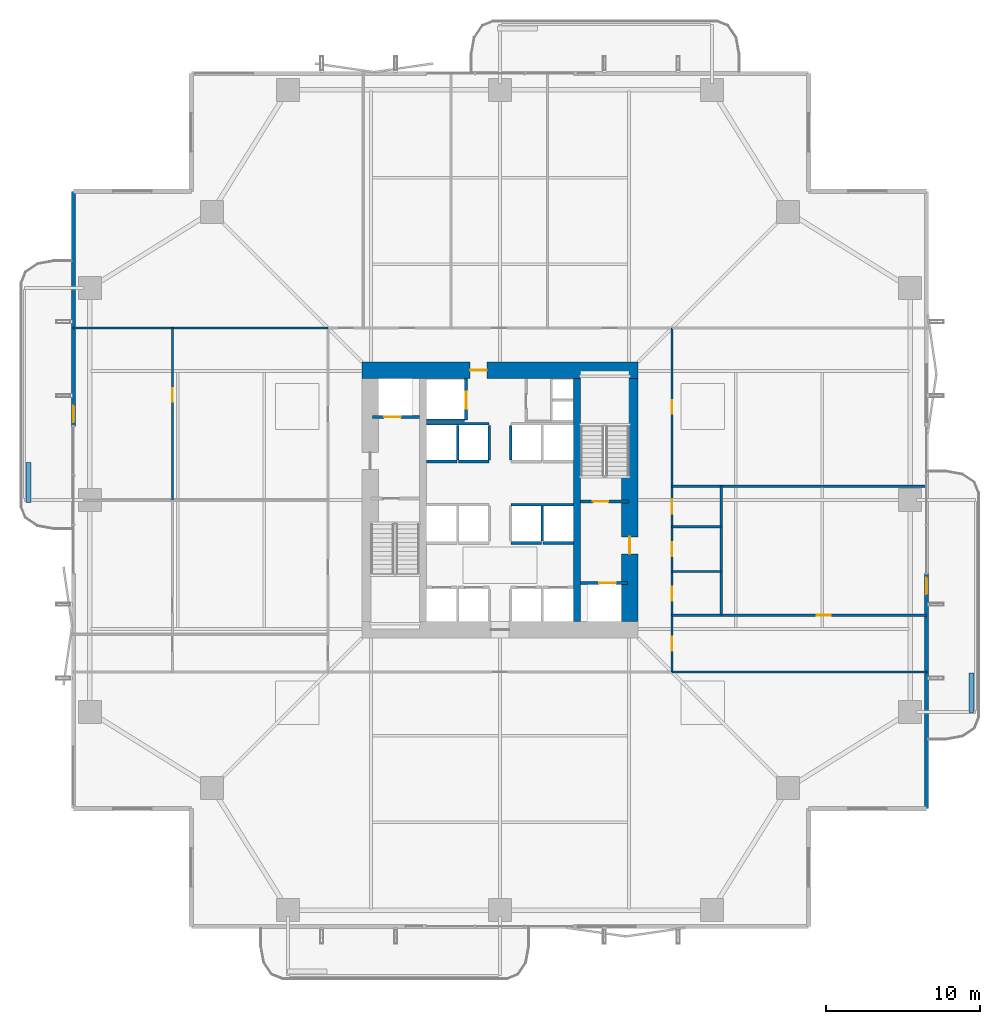
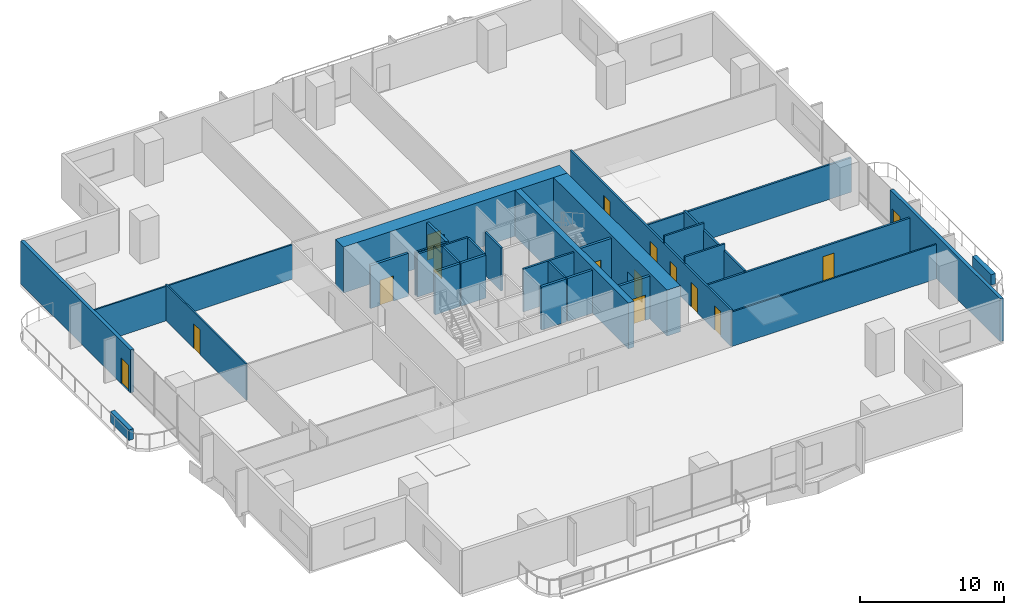
# One storey, part 18 of 23: 31 walls, 15 doors, 15 openings.
"""IFC4 building model written with IfcOpenShell, lengths in metres."""

import ifcopenshell
import ifcopenshell.guid

model = None  # the IFC model being written
_history = None  # IfcOwnerHistory: only IFC2X3 demands one
_inside = {}  # id of a spatial element -> (the spatial element, [elements in it])
_under = {}  # id of a project, library or spatial element -> (it, [spatial elements below it])
_declared = {}  # id of a project -> (the project, [libraries it declares])
_typed = {}  # id of a type object -> (the type object, [elements of that type])
_made_of = {}  # id of a material, layer set ... -> (it, [elements and type objects made of it])


def new_model(schema):
    """Start an empty IFC model of exactly this schema.

    Asked for "IFC4X3", IfcOpenShell would pick the latest addendum, in which some entities
    have other attributes; the version numbers below select the first issue.
    IFC2X3 requires an IfcOwnerHistory on every rooted entity: one is made here for all.
    """
    global model, _history
    if schema == "IFC4X3":
        model = ifcopenshell.file(schema_version=(4, 3, 0, 0))
    else:
        model = ifcopenshell.file(schema=schema)
    _inside.clear()
    _under.clear()
    _declared.clear()
    _typed.clear()
    _made_of.clear()
    _history = None
    if model.schema == "IFC2X3":
        org = make("IfcOrganization", Name="unknown")
        user = make(
            "IfcPersonAndOrganization",
            ThePerson=make("IfcPerson", FamilyName="unknown"),
            TheOrganization=org,
        )
        app = make(
            "IfcApplication",
            ApplicationDeveloper=org,
            Version="unknown",
            ApplicationFullName="unknown",
            ApplicationIdentifier="unknown",
        )
        _history = make(
            "IfcOwnerHistory",
            OwningUser=user,
            OwningApplication=app,
            ChangeAction="ADDED",
            CreationDate=0,
        )
    return model


def make(cls, **values):
    """One entity of the class cls with the attributes given. An attribute that is None is left unset."""
    return model.create_entity(
        cls, **{name: value for name, value in values.items() if value is not None}
    )


def rooted(cls, **values):
    """An entity with a GlobalId (a new one), such as an element, a storey or a relation."""
    return make(cls, GlobalId=ifcopenshell.guid.new(), OwnerHistory=_history, **values)


def si_unit(unit_type, name, prefix=None):
    """IfcSIUnit, for example si_unit("LENGTHUNIT", "METRE", prefix="MILLI")."""
    return make("IfcSIUnit", UnitType=unit_type, Prefix=prefix, Name=name)


def assignment(units):
    """IfcUnitAssignment: the units of a project."""
    return None if units is None else make("IfcUnitAssignment", Units=units)


def point(xyz):
    """IfcCartesianPoint."""
    return None if xyz is None else make("IfcCartesianPoint", Coordinates=xyz)


def direction(xyz):
    """IfcDirection."""
    return None if xyz is None else make("IfcDirection", DirectionRatios=xyz)


def frame(location, z_axis=None, x_axis=None):
    """IfcAxis2Placement3D, a coordinate frame: its origin and axes. An axis left out is left unset."""
    return make(
        "IfcAxis2Placement3D",
        Location=point(location),
        Axis=direction(z_axis),
        RefDirection=direction(x_axis),
    )


def frame_2d(location, x_axis=None):
    """IfcAxis2Placement2D, a coordinate frame in the plane: its origin and x axis."""
    return make(
        "IfcAxis2Placement2D", Location=point(location), RefDirection=direction(x_axis)
    )


def origin():
    """The frame at (0, 0, 0) with its axes left unset."""
    return frame((0.0, 0.0, 0.0))


def place(relative_to, where):
    """IfcLocalPlacement: puts the frame where relative to a parent placement (None: the world)."""
    return make(
        "IfcLocalPlacement", PlacementRelTo=relative_to, RelativePlacement=where
    )


def context(
    kind, dimensions, precision=None, world=None, true_north=None, identifier=None
):
    """IfcGeometricRepresentationContext, for example the 3D "Model" context."""
    return make(
        "IfcGeometricRepresentationContext",
        ContextIdentifier=identifier,
        ContextType=kind,
        CoordinateSpaceDimension=dimensions,
        Precision=precision,
        WorldCoordinateSystem=world,
        TrueNorth=true_north,
    )


def subcontext(parent, identifier, kind, view, scale=None):
    """IfcGeometricRepresentationSubContext, for example "Body" below "Model"."""
    return make(
        "IfcGeometricRepresentationSubContext",
        ContextIdentifier=identifier,
        ContextType=kind,
        ParentContext=parent,
        TargetScale=scale,
        TargetView=view,
    )


def project(units=None, contexts=None):
    """IfcProject with its units and contexts."""
    return rooted(
        "IfcProject",
        Name="project",
        RepresentationContexts=contexts,
        UnitsInContext=assignment(units),
    )


def spatial(cls, under=None, at=None, **own):
    """A site, building, storey or space (cls), placed at a placement, below another one or the project."""
    s = rooted(cls, ObjectPlacement=at, **own)
    if under is not None:
        _under.setdefault(under.id(), (under, []))[1].append(s)
    return s


def profile(cls, at=None, kind="AREA", **sizes):
    """A parametric profile (cls). Its sizes go by their IFC names, for example OverallWidth=200.0."""
    return make(cls, ProfileType=kind, Position=at, **sizes)


def rectangle(**sizes):
    """IfcRectangleProfileDef."""
    return profile("IfcRectangleProfileDef", **sizes)


def extrude(swept, where, along, depth):
    """IfcExtrudedAreaSolid: the profile swept, set in the frame where, extruded along a direction by depth."""
    return make(
        "IfcExtrudedAreaSolid",
        SweptArea=swept,
        Position=where,
        ExtrudedDirection=direction(along),
        Depth=depth,
    )


def shape(context_of_items, identifier, shape_type, items):
    """IfcShapeRepresentation: the items that make up one representation, for example the "Body"."""
    return make(
        "IfcShapeRepresentation",
        ContextOfItems=context_of_items,
        RepresentationIdentifier=identifier,
        RepresentationType=shape_type,
        Items=items,
    )


def material(Name=None, Category=None):
    """IfcMaterial."""
    return make("IfcMaterial", Name=Name, Category=Category)


def layer(
    of_material, thickness, ventilated=None, Name=None, Category=None, Priority=None
):
    """IfcMaterialLayer: one layer of a wall or slab, of a material (None: an air gap)."""
    return make(
        "IfcMaterialLayer",
        Material=of_material,
        LayerThickness=thickness,
        IsVentilated=ventilated,
        Name=Name,
        Category=Category,
        Priority=Priority,
    )


def layer_set(layers, Name=None):
    """IfcMaterialLayerSet."""
    return make("IfcMaterialLayerSet", MaterialLayers=layers, LayerSetName=Name)


def made_of(thing, what):
    """Note that an element or type object is made of a material, layer set ...; save() writes the relation."""
    if what is not None:
        _made_of.setdefault(what.id(), (what, []))[1].append(thing)
    return thing


def type_object(cls, material=None, **own):
    """A type object (cls), such as IfcWallType, which elements share."""
    return made_of(rooted(cls, **own), material)


def element(
    cls,
    number,
    at=None,
    inside=None,
    cuts=None,
    type_object=None,
    material=None,
    context=None,
    identifier="Body",
    shape_type=None,
    held_by="IfcProductDefinitionShape",
    body=None,
    shapes=None,
    **own,
):
    """One element of the class cls, such as IfcWall. Its Tag is "e" and its number.

    at: its placement. inside: the storey or other place that contains it. cuts: it is an
    opening in that element (IfcRelVoidsElement). A single representation is given by context,
    identifier, shape_type and body (its items); several are given by shapes. held_by: the class
    of the entity that holds the representations. save() writes the other relations.
    """
    e = rooted(cls, Tag="e%d" % number, ObjectPlacement=at, **own)
    if body is not None:
        shapes = [shape(context, identifier, shape_type, body)]
    if shapes is not None:
        e.Representation = make(held_by, Representations=shapes)
    if inside is not None:
        _inside.setdefault(inside.id(), (inside, []))[1].append(e)
    if cuts is not None:
        rooted(
            "IfcRelVoidsElement", RelatingBuildingElement=cuts, RelatedOpeningElement=e
        )
    if type_object is not None:
        _typed.setdefault(type_object.id(), (type_object, []))[1].append(e)
    return made_of(e, material)


def fill(opening, filler):
    """IfcRelFillsElement: the door or window that sits in an opening."""
    return rooted(
        "IfcRelFillsElement",
        RelatingOpeningElement=opening,
        RelatedBuildingElement=filler,
    )


def aggregate(whole, parts):
    """IfcRelAggregates: a whole, such as a stair, and the parts it consists of."""
    return rooted("IfcRelAggregates", RelatingObject=whole, RelatedObjects=parts)


def save(model, path):
    """Write the relations noted so far, then the file.

    IfcRelAggregates (storeys below a building ...), IfcRelContainedInSpatialStructure (elements
    in a storey), IfcRelDefinesByType, IfcRelAssociatesMaterial and IfcRelDeclares: one each for
    every whole, place, type object, material and project.
    """
    for whole, parts in _under.values():
        aggregate(whole, parts)
    for where, things in _inside.values():
        rooted(
            "IfcRelContainedInSpatialStructure",
            RelatedElements=things,
            RelatingStructure=where,
        )
    for kind, things in _typed.values():
        rooted("IfcRelDefinesByType", RelatedObjects=things, RelatingType=kind)
    for what, things in _made_of.values():
        rooted("IfcRelAssociatesMaterial", RelatedObjects=things, RelatingMaterial=what)
    for by, libraries in _declared.values():
        rooted("IfcRelDeclares", RelatingContext=by, RelatedDefinitions=libraries)
    model.write(path)


model = new_model("IFC4")

# Units and contexts
model_context = context("Model", 3, precision=1e-05, world=origin(), true_north=direction((0.0, 1.0)))
body_context = subcontext(model_context, "Body", "Model", "MODEL_VIEW")
ifc_project = project(units=[si_unit("LENGTHUNIT", "METRE"), si_unit("AREAUNIT", "SQUARE_METRE"), si_unit("VOLUMEUNIT", "CUBIC_METRE"), si_unit("PLANEANGLEUNIT", "RADIAN"), si_unit("MASSUNIT", "GRAM", prefix="KILO")], contexts=[model_context])

# Site, building, storey
site_placement = place(None, origin())
site = spatial("IfcSite", under=ifc_project, at=site_placement, CompositionType="ELEMENT")
building_placement = place(site_placement, origin())
building = spatial("IfcBuilding", under=site, at=building_placement, Name="Belovzor Exchange Tower", CompositionType="ELEMENT")
storey_placement = place(building_placement, frame((0.0, 0.0, 100.199951171875)))
storey = spatial("IfcBuildingStorey", under=building, at=storey_placement, Name="L24", CompositionType="ELEMENT", Elevation=100.199951171875)

# Walls
ifc_material_1 = material(Name="Acoustic Plasterboard on Galvanised Studs", Category="gypsum")
ifc_layer_1 = layer(ifc_material_1, 0.1201171875)
ifc_layer_set_1 = layer_set([ifc_layer_1], Name="Acoustic Plasterboard on Galvanised Studs")
wall_type_1 = type_object("IfcWallType", Name="Acoustic Double-Stud Partition Wall 120", PredefinedType="PARTITIONING", material=ifc_layer_set_1)
for number, where, z_axis, x_axis, name in (
    (1, (40.0, 17.60009765625, 0.0), (0.0, 0.0, 1.0), (1.0, 0.0, 0.0), "W-P120 Partition Wall W-L24-END-SE"),
    (2, (1.030029296875, 40.0, 0.0), (0.0, 0.0, 1.0), (1.0, 0.0, 0.0), "W-P120 Partition Wall W-L24-END-NW"),
):
    element("IfcWall", number, at=place(storey_placement, frame(where, z_axis=z_axis, x_axis=x_axis)), inside=storey, type_object=wall_type_1, Name=name, PredefinedType="PARTITIONING", context=body_context, shape_type="SweptSolid", body=[
        extrude(rectangle(XDim=16.570068359375, YDim=0.1201171875, at=frame_2d((8.28515625, 0.0))), origin(), (0.0, 0.0, 1.0), 2.93505859375),
    ])

# Wall, opening, door
wall_1_placement = place(storey_placement, frame((7.47607421875, 28.787109375, 0.0), z_axis=(0.0, 0.0, 1.0), x_axis=(0.0, 1.0, 0.0)))
wall_1 = element("IfcWall", 3, at=wall_1_placement, inside=storey, type_object=wall_type_1, Name="W-P120 Partition Wall W-L24-WHDIV-2", PredefinedType="PARTITIONING", context=body_context, shape_type="SweptSolid", body=[
    extrude(rectangle(XDim=11.212890625, YDim=0.1201171875, at=frame_2d((5.6064453125, 0.0))), origin(), (0.0, 0.0, 1.0), 3.0849609375),
])
opening_1_placement = place(wall_1_placement, frame((6.39599609375, 0.0, 0.0)))
opening_1 = element("IfcOpeningElement", 4, at=opening_1_placement, cuts=wall_1, Name="Opening D-INT-090", PredefinedType="OPENING", context=body_context, shape_type="SweptSolid", body=[
    extrude(rectangle(XDim=0.89990234375, YDim=2.10009765625, at=frame_2d((0.449951171875, 1.050048828125))), frame((0.0, 0.070068359375, 0.0), z_axis=(0.0, -1.0, 0.0), x_axis=(1.0, 0.0, 0.0)), (0.0, 0.0, 1.0), 0.14013671875),
])
ifc_material_2 = material(Name="Veneered Hardwood Acoustic Leaf", Category="wood")
door_type_1 = type_object("IfcDoorType", Name="Trading Suite Acoustic Single Door 900x2100", OperationType="NOTDEFINED", PredefinedType="DOOR", material=ifc_material_2)
door_1_placement = place(opening_1_placement, origin())
door_1 = element("IfcDoor", 5, at=door_1_placement, inside=storey, type_object=door_type_1, Name="D-INT-090 Trading Suite Acoustic Single Door 900x2100", OperationType="SINGLE_SWING_LEFT", OverallHeight=2.10009765625, OverallWidth=0.89990234375, PredefinedType="DOOR", context=body_context, shape_type="SweptSolid", body=[
    extrude(rectangle(XDim=0.89990234375, YDim=2.10009765625, at=frame_2d((0.449951171875, 1.050048828125))), frame((0.0, 0.02490234375, 0.0), z_axis=(0.0, -1.0, 0.0), x_axis=(1.0, 0.0, 0.0)), (0.0, 0.0, 1.0), 0.050048828125),
])
fill(opening_1, door_1)

# Wall
ifc_material_3 = material(Name="Fire-Rated Gypsum Block and Mineral Wool", Category="gypsum")
ifc_layer_2 = layer(ifc_material_3, 0.14990234375)
ifc_layer_set_2 = layer_set([ifc_layer_2], Name="Fire-Rated Gypsum Block and Mineral Wool")
wall_type_2 = type_object("IfcWallType", Name="Fire-Rated Gypsum Block Corridor Wall 150", PredefinedType="PARTITIONING", material=ifc_layer_set_2)
wall_2_placement = place(storey_placement, frame((43.199951171875, 21.300048828125, 0.0), z_axis=(0.0, 0.0, 1.0), x_axis=(0.0, 1.0, 0.0)))
element("IfcWall", 6, at=wall_2_placement, inside=storey, type_object=wall_type_2, Name="W-P150 Partition Wall W-L24-WCE", PredefinedType="PARTITIONING", context=body_context, shape_type="SweptSolid", body=[
    extrude(rectangle(XDim=8.39990234375, YDim=0.14990234375, at=frame_2d((4.199951171875, 0.0))), origin(), (0.0, 0.0, 1.0), 3.0849609375),
])

# Wall, opening, door
wall_3_placement = place(storey_placement, frame((40.0, 21.300048828125, 0.0), z_axis=(0.0, 0.0, 1.0), x_axis=(1.0, 0.0, 0.0)))
wall_3 = element("IfcWall", 7, at=wall_3_placement, inside=storey, type_object=wall_type_2, Name="W-P150 Partition Wall W-L24-WCS", PredefinedType="PARTITIONING", context=body_context, shape_type="SweptSolid", body=[
    extrude(rectangle(XDim=16.570068359375, YDim=0.14990234375, at=frame_2d((8.28515625, 0.0))), origin(), (0.0, 0.0, 1.0), 2.93505859375),
])
opening_2_placement = place(wall_3_placement, frame((9.43505859375, 0.0, 0.0)))
opening_2 = element("IfcOpeningElement", 8, at=opening_2_placement, cuts=wall_3, Name="Opening D-INT-090", PredefinedType="OPENING", context=body_context, shape_type="SweptSolid", body=[
    extrude(rectangle(XDim=0.89990234375, YDim=2.10009765625, at=frame_2d((0.449951171875, 1.050048828125))), frame((0.0, 0.0849609375, 0.0), z_axis=(0.0, -1.0, 0.0), x_axis=(1.0, 0.0, 0.0)), (0.0, 0.0, 1.0), 0.169921875),
])
door_2_placement = place(opening_2_placement, origin())
door_2 = element("IfcDoor", 9, at=door_2_placement, inside=storey, type_object=door_type_1, Name="D-INT-090 Trading Suite Acoustic Single Door 900x2100", OperationType="SINGLE_SWING_LEFT", OverallHeight=2.10009765625, OverallWidth=0.89990234375, PredefinedType="DOOR", context=body_context, shape_type="SweptSolid", body=[
    extrude(rectangle(XDim=0.89990234375, YDim=2.10009765625, at=frame_2d((0.449951171875, 1.050048828125))), frame((0.0, 0.02490234375, 0.0), z_axis=(0.0, -1.0, 0.0), x_axis=(1.0, 0.0, 0.0)), (0.0, 0.0, 1.0), 0.050048828125),
])
fill(opening_2, door_2)

# Walls
wall_4_placement = place(storey_placement, frame((40.0, 29.699951171875, 0.0), z_axis=(0.0, 0.0, 1.0), x_axis=(1.0, 0.0, 0.0)))
element("IfcWall", 10, at=wall_4_placement, inside=storey, type_object=wall_type_2, Name="W-P150 Partition Wall W-L24-WCN", PredefinedType="PARTITIONING", context=body_context, shape_type="SweptSolid", body=[
    extrude(rectangle(XDim=16.570068359375, YDim=0.14990234375, at=frame_2d((8.28515625, 0.0))), origin(), (0.0, 0.0, 1.0), 2.93505859375),
])
for number, where, z_axis, x_axis, name in (
    (11, (40.0, 24.14990234375, 0.0), (0.0, 0.0, 1.0), (1.0, 0.0, 0.0), "W-P150 Partition Wall W-L24-WCD1"),
    (12, (40.0, 27.050048828125, 0.0), (0.0, 0.0, 1.0), (1.0, 0.0, 0.0), "W-P150 Partition Wall W-L24-WCD2"),
):
    element("IfcWall", number, at=place(storey_placement, frame(where, z_axis=z_axis, x_axis=x_axis)), inside=storey, type_object=wall_type_2, Name=name, PredefinedType="PARTITIONING", context=body_context, shape_type="SweptSolid", body=[
        extrude(rectangle(XDim=3.199951171875, YDim=0.14990234375, at=frame_2d((1.60009765625, 0.0))), origin(), (0.0, 0.0, 1.0), 3.650146484375),
    ])

# Wall, openings, doors
wall_5_placement = place(storey_placement, frame((40.0, 17.60009765625, 0.0), z_axis=(0.0, 0.0, 1.0), x_axis=(0.0, 1.0, 0.0)))
wall_5 = element("IfcWall", 13, at=wall_5_placement, inside=storey, type_object=wall_type_2, Name="W-P150 Partition Wall W-L24-CE", PredefinedType="PARTITIONING", context=body_context, shape_type="SweptSolid", body=[
    extrude(rectangle(XDim=22.39990234375, YDim=0.14990234375, at=frame_2d((11.199951171875, 0.0))), origin(), (0.0, 0.0, 1.0), 3.0849609375),
])
opening_3_placement = place(wall_5_placement, frame((1.39990234375, 0.0, 0.0)))
opening_3 = element("IfcOpeningElement", 14, at=opening_3_placement, cuts=wall_5, Name="Opening D-INT-090", PredefinedType="OPENING", context=body_context, shape_type="SweptSolid", body=[
    extrude(rectangle(XDim=0.89990234375, YDim=2.10009765625, at=frame_2d((0.449951171875, 1.050048828125))), frame((0.0, 0.0849609375, 0.0), z_axis=(0.0, -1.0, 0.0), x_axis=(1.0, 0.0, 0.0)), (0.0, 0.0, 1.0), 0.169921875),
])
opening_4_placement = place(wall_5_placement, frame((4.64990234375, 0.0, 0.0)))
opening_4 = element("IfcOpeningElement", 15, at=opening_4_placement, cuts=wall_5, Name="Opening D-FD60-090", PredefinedType="OPENING", context=body_context, shape_type="SweptSolid", body=[
    extrude(rectangle(XDim=0.89990234375, YDim=2.10009765625, at=frame_2d((0.449951171875, 1.050048828125))), frame((0.0, 0.0849609375, 0.0), z_axis=(0.0, -1.0, 0.0), x_axis=(1.0, 0.0, 0.0)), (0.0, 0.0, 1.0), 0.169921875),
])
opening_5_placement = place(wall_5_placement, frame((7.550048828125, 0.0, 0.0)))
opening_5 = element("IfcOpeningElement", 16, at=opening_5_placement, cuts=wall_5, Name="Opening D-FD60-090", PredefinedType="OPENING", context=body_context, shape_type="SweptSolid", body=[
    extrude(rectangle(XDim=0.89990234375, YDim=2.10009765625, at=frame_2d((0.449951171875, 1.050048828125))), frame((0.0, 0.0849609375, 0.0), z_axis=(0.0, -1.0, 0.0), x_axis=(1.0, 0.0, 0.0)), (0.0, 0.0, 1.0), 0.169921875),
])
opening_6_placement = place(wall_5_placement, frame((10.300048828125, 0.0, 0.0)))
opening_6 = element("IfcOpeningElement", 17, at=opening_6_placement, cuts=wall_5, Name="Opening D-FD60-095", PredefinedType="OPENING", context=body_context, shape_type="SweptSolid", body=[
    extrude(rectangle(XDim=0.949951171875, YDim=2.10009765625, at=frame_2d((0.47509765625, 1.050048828125))), frame((0.0, 0.0849609375, 0.0), z_axis=(0.0, -1.0, 0.0), x_axis=(1.0, 0.0, 0.0)), (0.0, 0.0, 1.0), 0.169921875),
])
opening_7_placement = place(wall_5_placement, frame((16.800048828125, 0.0, 0.0)))
opening_7 = element("IfcOpeningElement", 18, at=opening_7_placement, cuts=wall_5, Name="Opening D-INT-090", PredefinedType="OPENING", context=body_context, shape_type="SweptSolid", body=[
    extrude(rectangle(XDim=0.89990234375, YDim=2.10009765625, at=frame_2d((0.449951171875, 1.050048828125))), frame((0.0, 0.0849609375, 0.0), z_axis=(0.0, -1.0, 0.0), x_axis=(1.0, 0.0, 0.0)), (0.0, 0.0, 1.0), 0.169921875),
])
ifc_material_4 = material(Name="Moisture-Resistant Timber Fire Leaf", Category="wood")
door_type_2 = type_object("IfcDoorType", Name="Accessible Restroom Wide Fire Door 950x2100", OperationType="NOTDEFINED", PredefinedType="DOOR", material=ifc_material_4)
door_3_placement = place(opening_6_placement, origin())
door_3 = element("IfcDoor", 19, at=door_3_placement, inside=storey, type_object=door_type_2, Name="D-FD60-095 Accessible Restroom Wide Fire Door 950x2100", OperationType="SINGLE_SWING_LEFT", OverallHeight=2.10009765625, OverallWidth=0.949951171875, PredefinedType="DOOR", context=body_context, shape_type="SweptSolid", body=[
    extrude(rectangle(XDim=0.949951171875, YDim=2.10009765625, at=frame_2d((0.47509765625, 1.050048828125))), frame((0.0, 0.02490234375, 0.0), z_axis=(0.0, -1.0, 0.0), x_axis=(1.0, 0.0, 0.0)), (0.0, 0.0, 1.0), 0.050048828125),
])
fill(opening_6, door_3)
ifc_material_5 = material(Name="Acoustic Timber Fire Leaf", Category="wood")
door_type_3 = type_object("IfcDoorType", Name="Core Service & Restroom Fire Door 900x2100", OperationType="NOTDEFINED", PredefinedType="DOOR", material=ifc_material_5)
door_4_placement = place(opening_4_placement, origin())
door_4 = element("IfcDoor", 20, at=door_4_placement, inside=storey, type_object=door_type_3, Name="D-FD60-090 Core Service & Restroom Fire Door 900x2100", OperationType="SINGLE_SWING_LEFT", OverallHeight=2.10009765625, OverallWidth=0.89990234375, PredefinedType="DOOR", context=body_context, shape_type="SweptSolid", body=[
    extrude(rectangle(XDim=0.89990234375, YDim=2.10009765625, at=frame_2d((0.449951171875, 1.050048828125))), frame((0.0, 0.02490234375, 0.0), z_axis=(0.0, -1.0, 0.0), x_axis=(1.0, 0.0, 0.0)), (0.0, 0.0, 1.0), 0.050048828125),
])
fill(opening_4, door_4)
door_5_placement = place(opening_5_placement, origin())
door_5 = element("IfcDoor", 21, at=door_5_placement, inside=storey, type_object=door_type_3, Name="D-FD60-090 Core Service & Restroom Fire Door 900x2100", OperationType="SINGLE_SWING_RIGHT", OverallHeight=2.10009765625, OverallWidth=0.89990234375, PredefinedType="DOOR", context=body_context, shape_type="SweptSolid", body=[
    extrude(rectangle(XDim=0.89990234375, YDim=2.10009765625, at=frame_2d((0.449951171875, 1.050048828125))), frame((0.0, 0.02490234375, 0.0), z_axis=(0.0, -1.0, 0.0), x_axis=(1.0, 0.0, 0.0)), (0.0, 0.0, 1.0), 0.050048828125),
])
fill(opening_5, door_5)
door_6_placement = place(opening_3_placement, origin())
door_6 = element("IfcDoor", 22, at=door_6_placement, inside=storey, type_object=door_type_1, Name="D-INT-090 Trading Suite Acoustic Single Door 900x2100", OperationType="SINGLE_SWING_LEFT", OverallHeight=2.10009765625, OverallWidth=0.89990234375, PredefinedType="DOOR", context=body_context, shape_type="SweptSolid", body=[
    extrude(rectangle(XDim=0.89990234375, YDim=2.10009765625, at=frame_2d((0.449951171875, 1.050048828125))), frame((0.0, 0.02490234375, 0.0), z_axis=(0.0, -1.0, 0.0), x_axis=(1.0, 0.0, 0.0)), (0.0, 0.0, 1.0), 0.050048828125),
])
fill(opening_3, door_6)
door_7_placement = place(opening_7_placement, origin())
door_7 = element("IfcDoor", 23, at=door_7_placement, inside=storey, type_object=door_type_1, Name="D-INT-090 Trading Suite Acoustic Single Door 900x2100", OperationType="SINGLE_SWING_RIGHT", OverallHeight=2.10009765625, OverallWidth=0.89990234375, PredefinedType="DOOR", context=body_context, shape_type="SweptSolid", body=[
    extrude(rectangle(XDim=0.89990234375, YDim=2.10009765625, at=frame_2d((0.449951171875, 1.050048828125))), frame((0.0, 0.02490234375, 0.0), z_axis=(0.0, -1.0, 0.0), x_axis=(1.0, 0.0, 0.0)), (0.0, 0.0, 1.0), 0.050048828125),
])
fill(opening_7, door_7)

# Wall, opening, door
ifc_material_6 = material(Name="Precast concrete C40/50", Category="concrete")
ifc_layer_3 = layer(ifc_material_6, 0.260009765625)
ifc_layer_set_3 = layer_set([ifc_layer_3], Name="Precast concrete C40/50")
wall_type_3 = type_object("IfcWallType", Name="Precast Concrete Perimeter Loggia Frame Wall 260", PredefinedType="SOLIDWALL", material=ifc_layer_set_3)
wall_6_placement = place(storey_placement, frame((1.030029296875, 33.60009765625, 0.0), z_axis=(0.0, 0.0, 1.0), x_axis=(0.0, 1.0, 0.0)))
wall_6 = element("IfcWall", 24, at=wall_6_placement, inside=storey, type_object=wall_type_3, Name="W-EXT260 Precast Concrete Perimeter Loggia Frame Wall 260 L24", PredefinedType="SOLIDWALL", context=body_context, shape_type="SweptSolid", body=[
    extrude(rectangle(XDim=15.2998046875, YDim=0.260009765625, at=frame_2d((7.64990234375, 0.0))), origin(), (0.0, 0.0, 1.0), 3.650146484375),
])
opening_8_placement = place(wall_6_placement, frame((0.25, 0.0, 0.0)))
opening_8 = element("IfcOpeningElement", 25, at=opening_8_placement, cuts=wall_6, Name="Opening D-BAL110", PredefinedType="OPENING", context=body_context, shape_type="SweptSolid", body=[
    extrude(rectangle(XDim=1.10009765625, YDim=2.199951171875, at=frame_2d((0.550048828125, 1.10009765625))), frame((0.0, 0.139892578125, 0.0), z_axis=(0.0, -1.0, 0.0), x_axis=(1.0, 0.0, 0.0)), (0.0, 0.0, 1.0), 0.280029296875),
])
ifc_material_7 = material(Name="Thermally Broken Anodised Aluminium and Laminated Glass", Category="aluminium")
door_type_4 = type_object("IfcDoorType", Name="Planted Loggia Terrace Glazed Door 1100x2200", OperationType="SINGLE_SWING_LEFT", PredefinedType="DOOR", material=ifc_material_7)
door_8_placement = place(opening_8_placement, origin())
door_8 = element("IfcDoor", 26, at=door_8_placement, inside=storey, type_object=door_type_4, Name="D-BAL110 Balcony Terrace Door L24 W", OperationType="SINGLE_SWING_RIGHT", OverallHeight=2.199951171875, OverallWidth=1.10009765625, PredefinedType="DOOR", context=body_context, shape_type="SweptSolid", body=[
    extrude(rectangle(XDim=1.10009765625, YDim=2.199951171875, at=frame_2d((0.550048828125, 1.10009765625))), frame((0.0, 0.02490234375, 0.0), z_axis=(0.0, -1.0, 0.0), x_axis=(1.0, 0.0, 0.0)), (0.0, 0.0, 1.0), 0.050048828125),
])
fill(opening_8, door_8)

wall_7_placement = place(storey_placement, frame((56.570068359375, 24.0, 0.0), z_axis=(0.0, 0.0, 1.0), x_axis=(0.0, -1.0, 0.0)))
wall_7 = element("IfcWall", 27, at=wall_7_placement, inside=storey, type_object=wall_type_3, Name="W-EXT260 Precast Concrete Perimeter Loggia Frame Wall 260 L24", PredefinedType="SOLIDWALL", context=body_context, shape_type="SweptSolid", body=[
    extrude(rectangle(XDim=15.300048828125, YDim=0.260009765625, at=frame_2d((7.64990234375, 0.0))), origin(), (0.0, 0.0, 1.0), 3.650146484375),
])
opening_9_placement = place(wall_7_placement, frame((0.25, 0.0, 0.0)))
opening_9 = element("IfcOpeningElement", 28, at=opening_9_placement, cuts=wall_7, Name="Opening D-BAL110", PredefinedType="OPENING", context=body_context, shape_type="SweptSolid", body=[
    extrude(rectangle(XDim=1.10009765625, YDim=2.199951171875, at=frame_2d((0.550048828125, 1.10009765625))), frame((0.0, 0.139892578125, 0.0), z_axis=(0.0, -1.0, 0.0), x_axis=(1.0, 0.0, 0.0)), (0.0, 0.0, 1.0), 0.280029296875),
])
door_9_placement = place(opening_9_placement, origin())
door_9 = element("IfcDoor", 29, at=door_9_placement, inside=storey, type_object=door_type_4, Name="D-BAL110 Balcony Terrace Door L24 E", OperationType="SINGLE_SWING_LEFT", OverallHeight=2.199951171875, OverallWidth=1.10009765625, PredefinedType="DOOR", context=body_context, shape_type="SweptSolid", body=[
    extrude(rectangle(XDim=1.10009765625, YDim=2.199951171875, at=frame_2d((0.550048828125, 1.10009765625))), frame((0.0, 0.02490234375, 0.0), z_axis=(0.0, -1.0, 0.0), x_axis=(1.0, 0.0, 0.0)), (0.0, 0.0, 1.0), 0.050048828125),
])
fill(opening_9, door_9)

# Walls
ifc_material_8 = material(Name="Precast concrete C40/50", Category="concrete")
ifc_layer_4 = layer(ifc_material_8, 0.35009765625)
ifc_layer_set_4 = layer_set([ifc_layer_4], Name="Precast concrete C40/50")
wall_type_4 = type_object("IfcWallType", Name="Precast Concrete Structural Tree Planter Trough 350", PredefinedType="PARAPET", material=ifc_layer_set_4)
for number, where, z_axis, x_axis, name in (
    (30, (59.5, 14.949951171875, 0.0), (0.0, 0.0, 1.0), (0.0, 1.0, 0.0), "PT-350 Precast Concrete Structural Tree Planter Trough 350 L24"),
    (31, (-1.89990234375, 28.64990234375, 0.0), (0.0, 0.0, 1.0), (0.0, 1.0, 0.0), "PT-350 Precast Concrete Structural Tree Planter Trough 350 L24"),
):
    element("IfcWall", number, at=place(storey_placement, frame(where, z_axis=z_axis, x_axis=x_axis)), inside=storey, type_object=wall_type_4, Name=name, PredefinedType="PARAPET", context=body_context, shape_type="SweptSolid", body=[
        extrude(rectangle(XDim=2.60009765625, YDim=0.35009765625, at=frame_2d((1.300048828125, 0.0))), origin(), (0.0, 0.0, 1.0), 0.900146484375),
    ])
ifc_material_9 = material(Name="Concrete C50/60", Category="concrete")
ifc_layer_5 = layer(ifc_material_9, 0.449951171875)
ifc_layer_set_5 = layer_set([ifc_layer_5], Name="Concrete C50/60")
wall_type_5 = type_object("IfcWallType", Name="Reinforced Concrete Core Internal Web Wall 450", PredefinedType="SHEAR", material=ifc_layer_set_5)
wall_8_placement = place(storey_placement, frame((33.824951171875, 20.89990234375, 0.0), z_axis=(0.0, 0.0, 1.0), x_axis=(0.0, 1.0, 0.0)))
element("IfcWall", 32, at=wall_8_placement, inside=storey, type_object=wall_type_5, Name="CW-W045 Core Internal Web Wall L24 ER", PredefinedType="SHEAR", context=body_context, shape_type="SweptSolid", body=[
    extrude(rectangle(XDim=15.800048828125, YDim=0.449951171875, at=frame_2d((7.89990234375, 0.0))), origin(), (0.0, 0.0, 1.0), 3.900146484375),
])
ifc_material_10 = material(Name="Concrete C50/60", Category="concrete")
ifc_layer_6 = layer(ifc_material_10, 0.14990234375)
ifc_layer_set_6 = layer_set([ifc_layer_6], Name="Concrete C50/60")
wall_type_6 = type_object("IfcWallType", Name="Reinforced Concrete Core Riser Shear Wall 150", PredefinedType="SHEAR", material=ifc_layer_set_6)
wall_9_placement = place(storey_placement, frame((24.0, 34.0, 0.0), z_axis=(0.0, 0.0, 1.0), x_axis=(1.0, 0.0, 0.0)))
element("IfcWall", 33, at=wall_9_placement, inside=storey, type_object=wall_type_6, Name="W-C150S Core Shaft Wall W-SH-L24-SL-01S", PredefinedType="SHEAR", context=body_context, shape_type="SweptSolid", body=[
    extrude(rectangle(XDim=2.47998046875, YDim=0.14990234375, at=frame_2d((1.239990234375, 0.0))), origin(), (0.0, 0.0, 1.0), 3.650146484375),
])
wall_10_placement = place(storey_placement, frame((29.5, 28.5, 0.0), z_axis=(0.0, 0.0, 1.0), x_axis=(1.0, 0.0, 0.0)))
element("IfcWall", 34, at=wall_10_placement, inside=storey, type_object=wall_type_6, Name="W-C150S Core Shaft Wall W-SHB-L24-PLM-NE", PredefinedType="SHEAR", context=body_context, shape_type="SweptSolid", body=[
    extrude(rectangle(XDim=4.080078125, YDim=0.14990234375, at=frame_2d((2.0400390625, 0.0))), origin(), (0.0, 0.0, 1.0), 3.650146484375),
])
wall_11_placement = place(storey_placement, frame((31.550048828125, 26.1201171875, 0.0), z_axis=(0.0, 0.0, 1.0), x_axis=(0.0, 1.0, 0.0)))
element("IfcWall", 35, at=wall_11_placement, inside=storey, type_object=wall_type_6, Name="W-C150S Core Shaft Wall W-SHD-L24-PLM-4", PredefinedType="SHEAR", context=body_context, shape_type="SweptSolid", body=[
    extrude(rectangle(XDim=2.27978515625, YDim=0.14990234375, at=frame_2d((1.139892578125, 0.0))), origin(), (0.0, 0.0, 1.0), 3.650146484375),
])
wall_12_placement = place(storey_placement, frame((24.02001953125, 33.760009765625, 0.0), z_axis=(0.0, 0.0, 1.0), x_axis=(1.0, 0.0, 0.0)))
element("IfcWall", 36, at=wall_12_placement, inside=storey, type_object=wall_type_6, Name="W-C150S Core Shaft Wall W-SHB-L24-PLH-NW", PredefinedType="SHEAR", context=body_context, shape_type="SweptSolid", body=[
    extrude(rectangle(XDim=4.080078125, YDim=0.14990234375, at=frame_2d((2.0400390625, 0.0))), origin(), (0.0, 0.0, 1.0), 3.650146484375),
])
for number, where, z_axis, x_axis, name in (
    (37, (26.050048828125, 31.419921875, 0.0), (0.0, 0.0, 1.0), (0.0, 1.0, 0.0), "W-C150S Core Shaft Wall W-SHD-L24-PLH-1"),
    (38, (28.10009765625, 31.419921875, 0.0), (0.0, 0.0, 1.0), (0.0, 1.0, 0.0), "W-C150S Core Shaft Wall W-SHD-L24-PLH-2"),
    (39, (29.5, 31.419921875, 0.0), (0.0, 0.0, 1.0), (0.0, 1.0, 0.0), "W-C150S Core Shaft Wall W-SHD-L24-PLH-3"),
):
    element("IfcWall", number, at=place(storey_placement, frame(where, z_axis=z_axis, x_axis=x_axis)), inside=storey, type_object=wall_type_6, Name=name, PredefinedType="SHEAR", context=body_context, shape_type="SweptSolid", body=[
        extrude(rectangle(XDim=2.239990234375, YDim=0.14990234375, at=frame_2d((1.1201171875, 0.0))), origin(), (0.0, 0.0, 1.0), 3.650146484375),
    ])

# Wall, opening, door
ifc_material_11 = material(Name="Concrete C50/60", Category="concrete")
ifc_layer_7 = layer(ifc_material_11, 0.199951171875)
ifc_layer_set_7 = layer_set([ifc_layer_7], Name="Concrete C50/60")
wall_type_7 = type_object("IfcWallType", Name="Reinforced Concrete Core Shaft Shear Wall 200", PredefinedType="SHEAR", material=ifc_layer_set_7)
wall_13_placement = place(storey_placement, frame((34.050048828125, 28.699951171875, 0.0), z_axis=(0.0, 0.0, 1.0), x_axis=(1.0, 0.0, 0.0)))
wall_13 = element("IfcWall", 40, at=wall_13_placement, inside=storey, type_object=wall_type_7, Name="W-C200S Core Shaft Wall W-CORE-L24-FFLE2", PredefinedType="SHEAR", context=body_context, shape_type="SweptSolid", body=[
    extrude(rectangle(XDim=3.14990234375, YDim=0.199951171875, at=frame_2d((1.574951171875, 0.0))), origin(), (0.0, 0.0, 1.0), 3.650146484375),
])
opening_10_placement = place(wall_13_placement, frame((0.800048828125, 0.0, 0.0)))
opening_10 = element("IfcOpeningElement", 41, at=opening_10_placement, cuts=wall_13, Name="Opening D-FD90-100", PredefinedType="OPENING", context=body_context, shape_type="SweptSolid", body=[
    extrude(rectangle(XDim=1.0, YDim=2.10009765625, at=frame_2d((0.5, 1.050048828125))), frame((0.0, 0.10986328125, 0.0), z_axis=(0.0, -1.0, 0.0), x_axis=(1.0, 0.0, 0.0)), (0.0, 0.0, 1.0), 0.219970703125),
])
ifc_material_12 = material(Name="Fire-Rated Galvanised Steel Leaf", Category="steel")
door_type_5 = type_object("IfcDoorType", Name="Protected Stairwell Single Fire Door 1000x2100", OperationType="NOTDEFINED", PredefinedType="DOOR", material=ifc_material_12)
door_10_placement = place(opening_10_placement, origin())
door_10 = element("IfcDoor", 42, at=door_10_placement, inside=storey, type_object=door_type_5, Name="D-FD90-100 Protected Stairwell Single Fire Door 1000x2100", OperationType="SINGLE_SWING_LEFT", OverallHeight=2.10009765625, OverallWidth=1.0, PredefinedType="DOOR", context=body_context, shape_type="SweptSolid", body=[
    extrude(rectangle(XDim=1.0, YDim=2.10009765625, at=frame_2d((0.5, 1.050048828125))), frame((0.0, 0.02490234375, 0.0), z_axis=(0.0, -1.0, 0.0), x_axis=(1.0, 0.0, 0.0)), (0.0, 0.0, 1.0), 0.050048828125),
])
fill(opening_10, door_10)

wall_14_placement = place(storey_placement, frame((20.5, 34.199951171875, 0.0), z_axis=(0.0, 0.0, 1.0), x_axis=(1.0, 0.0, 0.0)))
wall_14 = element("IfcWall", 43, at=wall_14_placement, inside=storey, type_object=wall_type_7, Name="W-C200S Core Shaft Wall W-SH-L24-FFL-01", PredefinedType="SHEAR", context=body_context, shape_type="SweptSolid", body=[
    extrude(rectangle(XDim=3.050048828125, YDim=0.199951171875, at=frame_2d((1.52490234375, 0.0))), origin(), (0.0, 0.0, 1.0), 3.650146484375),
])
opening_11_placement = place(wall_14_placement, frame((0.75, 0.0, 0.0)))
opening_11 = element("IfcOpeningElement", 44, at=opening_11_placement, cuts=wall_14, Name="Opening LD-110", PredefinedType="OPENING", context=body_context, shape_type="SweptSolid", body=[
    extrude(rectangle(XDim=1.10009765625, YDim=2.14990234375, at=frame_2d((0.550048828125, 1.074951171875))), frame((0.0, 0.10986328125, 0.0), z_axis=(0.0, -1.0, 0.0), x_axis=(1.0, 0.0, 0.0)), (0.0, 0.0, 1.0), 0.219970703125),
])
ifc_material_13 = material(Name="Stainless Steel Grade 304", Category="steel")
door_type_6 = type_object("IfcDoorType", Name="Automated Stainless Steel Lift Landing Door 1100x2150", OperationType="SLIDING_TO_RIGHT", PredefinedType="DOOR", material=ifc_material_13)
door_11_placement = place(opening_11_placement, origin())
door_11 = element("IfcDoor", 45, at=door_11_placement, inside=storey, type_object=door_type_6, Name="LD-110 Automated Stainless Steel Lift Landing Door 1100x2150", OperationType="SLIDING_TO_RIGHT", OverallHeight=2.14990234375, OverallWidth=1.10009765625, PredefinedType="DOOR", context=body_context, shape_type="SweptSolid", body=[
    extrude(rectangle(XDim=1.10009765625, YDim=2.14990234375, at=frame_2d((0.550048828125, 1.074951171875))), frame((0.0, 0.02490234375, 0.0), z_axis=(0.0, -1.0, 0.0), x_axis=(1.0, 0.0, 0.0)), (0.0, 0.0, 1.0), 0.050048828125),
])
fill(opening_11, door_11)

wall_15_placement = place(storey_placement, frame((34.050048828125, 23.39990234375, 0.0), z_axis=(0.0, 0.0, 1.0), x_axis=(1.0, 0.0, 0.0)))
wall_15 = element("IfcWall", 46, at=wall_15_placement, inside=storey, type_object=wall_type_7, Name="W-C200S Core Shaft Wall W-SH-L24-FFL-02", PredefinedType="SHEAR", context=body_context, shape_type="SweptSolid", body=[
    extrude(rectangle(XDim=3.050048828125, YDim=0.199951171875, at=frame_2d((1.52490234375, 0.0))), origin(), (0.0, 0.0, 1.0), 3.650146484375),
])
opening_12_placement = place(wall_15_placement, frame((1.199951171875, 0.0, 0.0)))
opening_12 = element("IfcOpeningElement", 47, at=opening_12_placement, cuts=wall_15, Name="Opening LD-110", PredefinedType="OPENING", context=body_context, shape_type="SweptSolid", body=[
    extrude(rectangle(XDim=1.10009765625, YDim=2.14990234375, at=frame_2d((0.550048828125, 1.074951171875))), frame((0.0, 0.10986328125, 0.0), z_axis=(0.0, -1.0, 0.0), x_axis=(1.0, 0.0, 0.0)), (0.0, 0.0, 1.0), 0.219970703125),
])
door_12_placement = place(opening_12_placement, origin())
door_12 = element("IfcDoor", 48, at=door_12_placement, inside=storey, type_object=door_type_6, Name="LD-110 Automated Stainless Steel Lift Landing Door 1100x2150", OperationType="SLIDING_TO_RIGHT", OverallHeight=2.14990234375, OverallWidth=1.10009765625, PredefinedType="DOOR", context=body_context, shape_type="SweptSolid", body=[
    extrude(rectangle(XDim=1.10009765625, YDim=2.14990234375, at=frame_2d((0.550048828125, 1.074951171875))), frame((0.0, 0.02490234375, 0.0), z_axis=(0.0, -1.0, 0.0), x_axis=(1.0, 0.0, 0.0)), (0.0, 0.0, 1.0), 0.050048828125),
])
fill(opening_12, door_12)

wall_16_placement = place(storey_placement, frame((26.60009765625, 34.0, 0.0), z_axis=(0.0, 0.0, 1.0), x_axis=(0.0, 1.0, 0.0)))
wall_16 = element("IfcWall", 49, at=wall_16_placement, inside=storey, type_object=wall_type_7, Name="W-C200S Core Shaft Wall W-SH-L24-SL-01", PredefinedType="SHEAR", context=body_context, shape_type="SweptSolid", body=[
    extrude(rectangle(XDim=2.699951171875, YDim=0.199951171875, at=frame_2d((1.35009765625, 0.0))), origin(), (0.0, 0.0, 1.0), 3.650146484375),
])
opening_13_placement = place(wall_16_placement, frame((0.75, 0.0, 0.0)))
opening_13 = element("IfcOpeningElement", 50, at=opening_13_placement, cuts=wall_16, Name="Opening LD-110", PredefinedType="OPENING", context=body_context, shape_type="SweptSolid", body=[
    extrude(rectangle(XDim=1.10009765625, YDim=2.14990234375, at=frame_2d((0.550048828125, 1.074951171875))), frame((0.0, 0.10986328125, 0.0), z_axis=(0.0, -1.0, 0.0), x_axis=(1.0, 0.0, 0.0)), (0.0, 0.0, 1.0), 0.219970703125),
])
door_13_placement = place(opening_13_placement, origin())
door_13 = element("IfcDoor", 51, at=door_13_placement, inside=storey, type_object=door_type_6, Name="LD-110 Automated Stainless Steel Lift Landing Door 1100x2150", OperationType="SLIDING_TO_RIGHT", OverallHeight=2.14990234375, OverallWidth=1.10009765625, PredefinedType="DOOR", context=body_context, shape_type="SweptSolid", body=[
    extrude(rectangle(XDim=1.10009765625, YDim=2.14990234375, at=frame_2d((0.550048828125, 1.074951171875))), frame((0.0, 0.02490234375, 0.0), z_axis=(0.0, -1.0, 0.0), x_axis=(1.0, 0.0, 0.0)), (0.0, 0.0, 1.0), 0.050048828125),
])
fill(opening_13, door_13)

# Walls
for number, where, z_axis, x_axis, name in (
    (52, (29.5, 26.0, 0.0), (0.0, 0.0, 1.0), (1.0, 0.0, 0.0), "W-C200S Core Shaft Wall W-SH-L24-PL-M3"),
    (53, (31.60009765625, 26.0, 0.0), (0.0, 0.0, 1.0), (1.0, 0.0, 0.0), "W-C200S Core Shaft Wall W-SH-L24-PL-M4"),
    (54, (24.0, 31.300048828125, 0.0), (0.0, 0.0, 1.0), (1.0, 0.0, 0.0), "W-C200S Core Shaft Wall W-SH-L24-PL-H1"),
    (55, (26.10009765625, 31.300048828125, 0.0), (0.0, 0.0, 1.0), (1.0, 0.0, 0.0), "W-C200S Core Shaft Wall W-SH-L24-PL-H2"),
):
    element("IfcWall", number, at=place(storey_placement, frame(where, z_axis=z_axis, x_axis=x_axis)), inside=storey, type_object=wall_type_7, Name=name, PredefinedType="SHEAR", context=body_context, shape_type="SweptSolid", body=[
        extrude(rectangle(XDim=2.0, YDim=0.199951171875, at=frame_2d((1.0, 0.0))), origin(), (0.0, 0.0, 1.0), 3.650146484375),
    ])

# Wall, opening, door
ifc_material_14 = material(Name="Concrete C60/75", Category="concrete")
ifc_layer_8 = layer(ifc_material_14, 1.10009765625)
ifc_layer_set_8 = layer_set([ifc_layer_8], Name="Concrete C60/75")
wall_type_8 = type_object("IfcWallType", Name="Reinforced Concrete Core Shear Wall 1100", PredefinedType="SHEAR", material=ifc_layer_set_8)
wall_17_placement = place(storey_placement, frame((19.800048828125, 37.25, 0.0), z_axis=(0.0, 0.0, 1.0), x_axis=(1.0, 0.0, 0.0)))
wall_17 = element("IfcWall", 56, at=wall_17_placement, inside=storey, type_object=wall_type_8, Name="CW-S110 Core Shear Wall L24 N", PredefinedType="SHEAR", context=body_context, shape_type="SweptSolid", body=[
    extrude(rectangle(XDim=18.0, YDim=1.10009765625, at=frame_2d((9.0, 0.0))), origin(), (0.0, 0.0, 1.0), 3.900146484375),
])
opening_14_placement = place(wall_17_placement, frame((7.050048828125, 0.0, 0.0)))
opening_14 = element("IfcOpeningElement", 57, at=opening_14_placement, cuts=wall_17, Name="Opening D-FD90-110", PredefinedType="OPENING", context=body_context, shape_type="SweptSolid", body=[
    extrude(rectangle(XDim=1.10009765625, YDim=2.14990234375, at=frame_2d((0.550048828125, 1.074951171875))), frame((0.0, 0.56005859375, 0.0), z_axis=(0.0, -1.0, 0.0), x_axis=(1.0, 0.0, 0.0)), (0.0, 0.0, 1.0), 1.1201171875),
])
ifc_material_15 = material(Name="Fire-Rated Galvanised Steel Leaf", Category="steel")
door_type_7 = type_object("IfcDoorType", Name="Protected Escape Vestibule Fire Door 1100x2150", OperationType="NOTDEFINED", PredefinedType="DOOR", material=ifc_material_15)
door_14_placement = place(opening_14_placement, origin())
door_14 = element("IfcDoor", 58, at=door_14_placement, inside=storey, type_object=door_type_7, Name="D-FD90-110 Protected Escape Vestibule Fire Door 1100x2150", OperationType="SINGLE_SWING_RIGHT", OverallHeight=2.14990234375, OverallWidth=1.10009765625, PredefinedType="DOOR", context=body_context, shape_type="SweptSolid", body=[
    extrude(rectangle(XDim=1.10009765625, YDim=2.14990234375, at=frame_2d((0.550048828125, 1.074951171875))), frame((0.0, 0.02490234375, 0.0), z_axis=(0.0, -1.0, 0.0), x_axis=(1.0, 0.0, 0.0)), (0.0, 0.0, 1.0), 0.050048828125),
])
fill(opening_14, door_14)

wall_18_placement = place(storey_placement, frame((37.25, 20.89990234375, 0.0), z_axis=(0.0, 0.0, 1.0), x_axis=(0.0, 1.0, 0.0)))
wall_18 = element("IfcWall", 59, at=wall_18_placement, inside=storey, type_object=wall_type_8, Name="CW-S110 Core Shear Wall L24 E", PredefinedType="SHEAR", context=body_context, shape_type="SweptSolid", body=[
    extrude(rectangle(XDim=15.800048828125, YDim=1.10009765625, at=frame_2d((7.89990234375, 0.0))), origin(), (0.0, 0.0, 1.0), 3.900146484375),
])
opening_15_placement = place(wall_18_placement, frame((4.39990234375, 0.0, 0.0)))
opening_15 = element("IfcOpeningElement", 60, at=opening_15_placement, cuts=wall_18, Name="Opening D-FD90-110", PredefinedType="OPENING", context=body_context, shape_type="SweptSolid", body=[
    extrude(rectangle(XDim=1.10009765625, YDim=2.14990234375, at=frame_2d((0.550048828125, 1.074951171875))), frame((0.0, 0.56005859375, 0.0), z_axis=(0.0, -1.0, 0.0), x_axis=(1.0, 0.0, 0.0)), (0.0, 0.0, 1.0), 1.1201171875),
])
door_15_placement = place(opening_15_placement, origin())
door_15 = element("IfcDoor", 61, at=door_15_placement, inside=storey, type_object=door_type_7, Name="D-FD90-110 Protected Escape Vestibule Fire Door 1100x2150", OperationType="SINGLE_SWING_RIGHT", OverallHeight=2.14990234375, OverallWidth=1.10009765625, PredefinedType="DOOR", context=body_context, shape_type="SweptSolid", body=[
    extrude(rectangle(XDim=1.10009765625, YDim=2.14990234375, at=frame_2d((0.550048828125, 1.074951171875))), frame((0.0, 0.02490234375, 0.0), z_axis=(0.0, -1.0, 0.0), x_axis=(1.0, 0.0, 0.0)), (0.0, 0.0, 1.0), 0.050048828125),
])
fill(opening_15, door_15)

save(model, "model.ifc")
